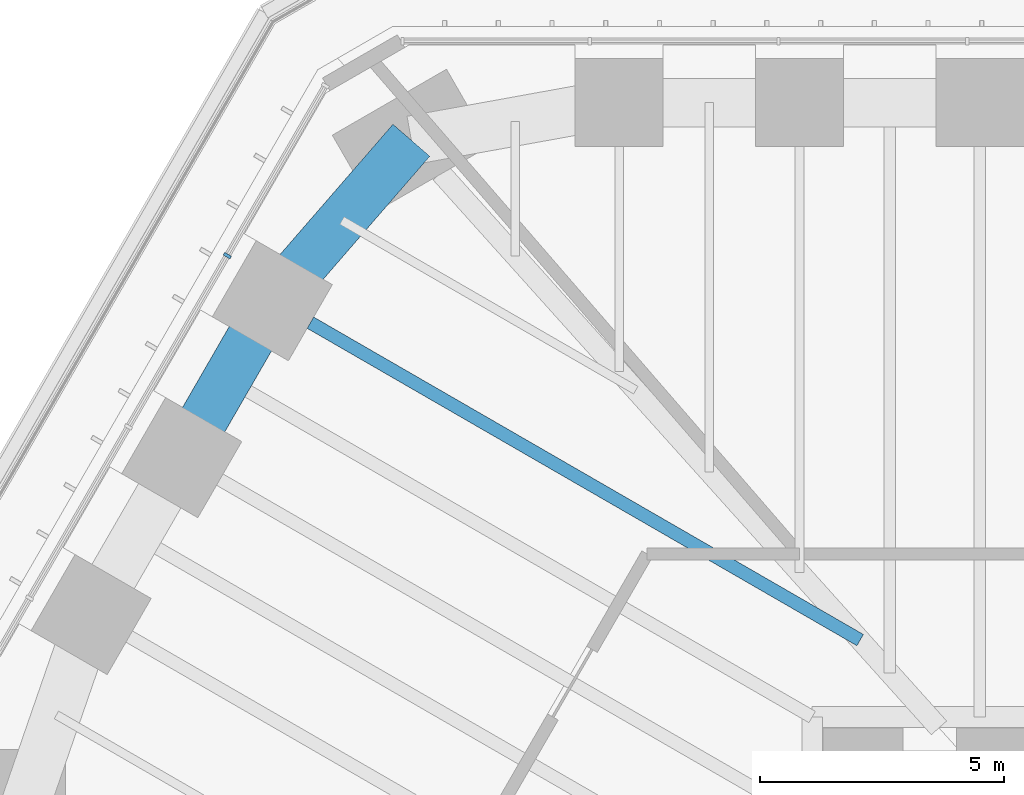
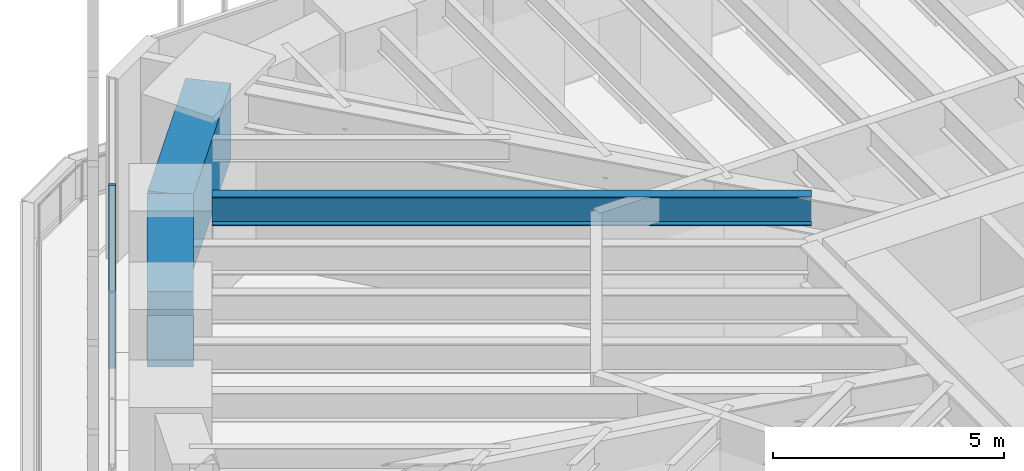
# One storey, part 149 of 228: 3 beams, 1 member, 1 element without a shape of its own.
"""IFC4 building model written with IfcOpenShell, lengths in metres."""

import ifcopenshell
import ifcopenshell.guid

model = None  # the IFC model being written
_history = None  # IfcOwnerHistory: only IFC2X3 demands one
_inside = {}  # id of a spatial element -> (the spatial element, [elements in it])
_under = {}  # id of a project, library or spatial element -> (it, [spatial elements below it])
_declared = {}  # id of a project -> (the project, [libraries it declares])
_typed = {}  # id of a type object -> (the type object, [elements of that type])
_made_of = {}  # id of a material, layer set ... -> (it, [elements and type objects made of it])


def new_model(schema):
    """Start an empty IFC model of exactly this schema.

    Asked for "IFC4X3", IfcOpenShell would pick the latest addendum, in which some entities
    have other attributes; the version numbers below select the first issue.
    IFC2X3 requires an IfcOwnerHistory on every rooted entity: one is made here for all.
    """
    global model, _history
    if schema == "IFC4X3":
        model = ifcopenshell.file(schema_version=(4, 3, 0, 0))
    else:
        model = ifcopenshell.file(schema=schema)
    _inside.clear()
    _under.clear()
    _declared.clear()
    _typed.clear()
    _made_of.clear()
    _history = None
    if model.schema == "IFC2X3":
        org = make("IfcOrganization", Name="unknown")
        user = make(
            "IfcPersonAndOrganization",
            ThePerson=make("IfcPerson", FamilyName="unknown"),
            TheOrganization=org,
        )
        app = make(
            "IfcApplication",
            ApplicationDeveloper=org,
            Version="unknown",
            ApplicationFullName="unknown",
            ApplicationIdentifier="unknown",
        )
        _history = make(
            "IfcOwnerHistory",
            OwningUser=user,
            OwningApplication=app,
            ChangeAction="ADDED",
            CreationDate=0,
        )
    return model


def make(cls, **values):
    """One entity of the class cls with the attributes given. An attribute that is None is left unset."""
    return model.create_entity(
        cls, **{name: value for name, value in values.items() if value is not None}
    )


def rooted(cls, **values):
    """An entity with a GlobalId (a new one), such as an element, a storey or a relation."""
    return make(cls, GlobalId=ifcopenshell.guid.new(), OwnerHistory=_history, **values)


def si_unit(unit_type, name, prefix=None):
    """IfcSIUnit, for example si_unit("LENGTHUNIT", "METRE", prefix="MILLI")."""
    return make("IfcSIUnit", UnitType=unit_type, Prefix=prefix, Name=name)


def assignment(units):
    """IfcUnitAssignment: the units of a project."""
    return None if units is None else make("IfcUnitAssignment", Units=units)


def point(xyz):
    """IfcCartesianPoint."""
    return None if xyz is None else make("IfcCartesianPoint", Coordinates=xyz)


def direction(xyz):
    """IfcDirection."""
    return None if xyz is None else make("IfcDirection", DirectionRatios=xyz)


def frame(location, z_axis=None, x_axis=None):
    """IfcAxis2Placement3D, a coordinate frame: its origin and axes. An axis left out is left unset."""
    return make(
        "IfcAxis2Placement3D",
        Location=point(location),
        Axis=direction(z_axis),
        RefDirection=direction(x_axis),
    )


def frame_2d(location, x_axis=None):
    """IfcAxis2Placement2D, a coordinate frame in the plane: its origin and x axis."""
    return make(
        "IfcAxis2Placement2D", Location=point(location), RefDirection=direction(x_axis)
    )


def origin():
    """The frame at (0, 0, 0) with its axes left unset."""
    return frame((0.0, 0.0, 0.0))


def origin_2d():
    """The frame at (0, 0) in the plane with its x axis left unset."""
    return frame_2d((0.0, 0.0))


def place(relative_to, where):
    """IfcLocalPlacement: puts the frame where relative to a parent placement (None: the world)."""
    return make(
        "IfcLocalPlacement", PlacementRelTo=relative_to, RelativePlacement=where
    )


def context(
    kind, dimensions, precision=None, world=None, true_north=None, identifier=None
):
    """IfcGeometricRepresentationContext, for example the 3D "Model" context."""
    return make(
        "IfcGeometricRepresentationContext",
        ContextIdentifier=identifier,
        ContextType=kind,
        CoordinateSpaceDimension=dimensions,
        Precision=precision,
        WorldCoordinateSystem=world,
        TrueNorth=true_north,
    )


def subcontext(parent, identifier, kind, view, scale=None):
    """IfcGeometricRepresentationSubContext, for example "Body" below "Model"."""
    return make(
        "IfcGeometricRepresentationSubContext",
        ContextIdentifier=identifier,
        ContextType=kind,
        ParentContext=parent,
        TargetScale=scale,
        TargetView=view,
    )


def project(units=None, contexts=None):
    """IfcProject with its units and contexts."""
    return rooted(
        "IfcProject",
        Name="project",
        RepresentationContexts=contexts,
        UnitsInContext=assignment(units),
    )


def spatial(cls, under=None, at=None, **own):
    """A site, building, storey or space (cls), placed at a placement, below another one or the project."""
    s = rooted(cls, ObjectPlacement=at, **own)
    if under is not None:
        _under.setdefault(under.id(), (under, []))[1].append(s)
    return s


def profile(cls, at=None, kind="AREA", **sizes):
    """A parametric profile (cls). Its sizes go by their IFC names, for example OverallWidth=200.0."""
    return make(cls, ProfileType=kind, Position=at, **sizes)


def rectangle(**sizes):
    """IfcRectangleProfileDef."""
    return profile("IfcRectangleProfileDef", **sizes)


def i_section(**sizes):
    """IfcIShapeProfileDef."""
    return profile("IfcIShapeProfileDef", **sizes)


def extrude(swept, where, along, depth):
    """IfcExtrudedAreaSolid: the profile swept, set in the frame where, extruded along a direction by depth."""
    return make(
        "IfcExtrudedAreaSolid",
        SweptArea=swept,
        Position=where,
        ExtrudedDirection=direction(along),
        Depth=depth,
    )


def shape(context_of_items, identifier, shape_type, items):
    """IfcShapeRepresentation: the items that make up one representation, for example the "Body"."""
    return make(
        "IfcShapeRepresentation",
        ContextOfItems=context_of_items,
        RepresentationIdentifier=identifier,
        RepresentationType=shape_type,
        Items=items,
    )


def material(Name=None, Category=None):
    """IfcMaterial."""
    return make("IfcMaterial", Name=Name, Category=Category)


def material_profile(
    of_material, cross_section, Name=None, Category=None, Priority=None
):
    """IfcMaterialProfile: a cross section and its material."""
    return make(
        "IfcMaterialProfile",
        Name=Name,
        Material=of_material,
        Profile=cross_section,
        Priority=Priority,
        Category=Category,
    )


def profile_set(profiles, Name=None, composite=None):
    """IfcMaterialProfileSet."""
    return make(
        "IfcMaterialProfileSet",
        Name=Name,
        MaterialProfiles=profiles,
        CompositeProfile=composite,
    )


def made_of(thing, what):
    """Note that an element or type object is made of a material, layer set ...; save() writes the relation."""
    if what is not None:
        _made_of.setdefault(what.id(), (what, []))[1].append(thing)
    return thing


def type_object(cls, material=None, **own):
    """A type object (cls), such as IfcWallType, which elements share."""
    return made_of(rooted(cls, **own), material)


def element(
    cls,
    number,
    at=None,
    inside=None,
    cuts=None,
    type_object=None,
    material=None,
    context=None,
    identifier="Body",
    shape_type=None,
    held_by="IfcProductDefinitionShape",
    body=None,
    shapes=None,
    **own,
):
    """One element of the class cls, such as IfcWall. Its Tag is "e" and its number.

    at: its placement. inside: the storey or other place that contains it. cuts: it is an
    opening in that element (IfcRelVoidsElement). A single representation is given by context,
    identifier, shape_type and body (its items); several are given by shapes. held_by: the class
    of the entity that holds the representations. save() writes the other relations.
    """
    e = rooted(cls, Tag="e%d" % number, ObjectPlacement=at, **own)
    if body is not None:
        shapes = [shape(context, identifier, shape_type, body)]
    if shapes is not None:
        e.Representation = make(held_by, Representations=shapes)
    if inside is not None:
        _inside.setdefault(inside.id(), (inside, []))[1].append(e)
    if cuts is not None:
        rooted(
            "IfcRelVoidsElement", RelatingBuildingElement=cuts, RelatedOpeningElement=e
        )
    if type_object is not None:
        _typed.setdefault(type_object.id(), (type_object, []))[1].append(e)
    return made_of(e, material)


def aggregate(whole, parts):
    """IfcRelAggregates: a whole, such as a stair, and the parts it consists of."""
    return rooted("IfcRelAggregates", RelatingObject=whole, RelatedObjects=parts)


def save(model, path):
    """Write the relations noted so far, then the file.

    IfcRelAggregates (storeys below a building ...), IfcRelContainedInSpatialStructure (elements
    in a storey), IfcRelDefinesByType, IfcRelAssociatesMaterial and IfcRelDeclares: one each for
    every whole, place, type object, material and project.
    """
    for whole, parts in _under.values():
        aggregate(whole, parts)
    for where, things in _inside.values():
        rooted(
            "IfcRelContainedInSpatialStructure",
            RelatedElements=things,
            RelatingStructure=where,
        )
    for kind, things in _typed.values():
        rooted("IfcRelDefinesByType", RelatedObjects=things, RelatingType=kind)
    for what, things in _made_of.values():
        rooted("IfcRelAssociatesMaterial", RelatedObjects=things, RelatingMaterial=what)
    for by, libraries in _declared.values():
        rooted("IfcRelDeclares", RelatingContext=by, RelatedDefinitions=libraries)
    model.write(path)


model = new_model("IFC4")

# Units and contexts
model_context = context("Model", 3, precision=1e-05, world=origin(), true_north=direction((0.0, 1.0)))
body_context = subcontext(model_context, "Body", "Model", "MODEL_VIEW")
ifc_project = project(units=[si_unit("LENGTHUNIT", "METRE"), si_unit("AREAUNIT", "SQUARE_METRE"), si_unit("VOLUMEUNIT", "CUBIC_METRE"), si_unit("PLANEANGLEUNIT", "RADIAN"), si_unit("MASSUNIT", "GRAM", prefix="KILO")], contexts=[model_context])

# Site, building, storey
site_placement = place(None, origin())
site = spatial("IfcSite", under=ifc_project, at=site_placement, CompositionType="ELEMENT")
building_placement = place(site_placement, origin())
building = spatial("IfcBuilding", under=site, at=building_placement, Name="Sandreach Pilgrim Tower", CompositionType="ELEMENT")
storey_placement = place(building_placement, frame((0.0, 0.0, 178.199951171875)))
storey = spatial("IfcBuildingStorey", under=building, at=storey_placement, Name="L44", CompositionType="ELEMENT", Elevation=178.199951171875)

# Curtain wall, member
ifc_material_1 = material(Name="Aluminium framed curtain wall", Category="aluminium")
curtain_wall_type = type_object("IfcCurtainWallType", Name="Upper hotel tower curtain wall", PredefinedType="NOTDEFINED", material=ifc_material_1)
curtain_wall_placement = place(storey_placement, origin())
curtain_wall = element("IfcCurtainWall", 1, at=curtain_wall_placement, inside=storey, type_object=curtain_wall_type, Name="CW-3 L44 NW", PredefinedType="NOTDEFINED")
ifc_material_2 = material(Name="Aluminium extrusion", Category="aluminium")
ifc_material_profile_1 = material_profile(ifc_material_2, rectangle(XDim=0.06494140625, YDim=0.159912109375, at=origin_2d()), Name="CW-3M 65X160")
ifc_profile_set_1 = profile_set([ifc_material_profile_1], Name="Aluminium extrusion")
member_type = type_object("IfcMemberType", Name="CW-3 mullion", PredefinedType="MULLION", material=ifc_profile_set_1)
member_placement = place(storey_placement, frame((-20.947021484375, 16.768798828125, 0.0), z_axis=(0.0, 0.0, 1.0), x_axis=(0.5, 0.866025403784, 0.0)))
member = element("IfcMember", 2, at=member_placement, type_object=member_type, Name="CW-3 mullion 4", PredefinedType="MULLION", context=body_context, shape_type="SweptSolid", body=[
    extrude(rectangle(XDim=0.06494140625, YDim=0.159912109375, at=origin_2d()), origin(), (0.0, 0.0, 1.0), 4.840087890625),
])
aggregate(curtain_wall, [member])

# Beams
ifc_material_3 = material(Name="Steel ASTM A992 Grade 50", Category="steel")
ifc_material_profile_2 = material_profile(ifc_material_3, i_section(OverallWidth=0.2666015625, OverallDepth=0.761962890625, WebThickness=0.014404296875, FlangeThickness=0.021484375, at=origin_2d()), Name="W30X116")
ifc_profile_set_2 = profile_set([ifc_material_profile_2], Name="Steel ASTM A992 Grade 50")
beam_type_1 = type_object("IfcBeamType", Name="Floor beam W30X116", PredefinedType="BEAM", material=ifc_profile_set_2)
beam_1_placement = place(storey_placement, frame((-19.24560546875, 15.395751953125, 4.458984375), z_axis=(0.866029195513, -0.499993432475, 0.0), x_axis=(0.499993432475, 0.866029195513, 0.0)))
element("IfcBeam", 3, at=beam_1_placement, inside=storey, type_object=beam_type_1, Name="BM L44 F38", PredefinedType="BEAM", context=body_context, shape_type="SweptSolid", body=[
    extrude(i_section(OverallWidth=0.2666015625, OverallDepth=0.761962890625, WebThickness=0.014404296875, FlangeThickness=0.021484375, at=origin_2d()), origin(), (0.0, 0.0, 1.0), 12.998291015625),
])
ifc_material_4 = material(Name="Concrete 10000 psi", Category="concrete")
ifc_material_profile_3 = material_profile(ifc_material_4, rectangle(XDim=1.0, YDim=2.0, at=origin_2d()), Name="RC1000X2000")
ifc_profile_set_3 = profile_set([ifc_material_profile_3], Name="Concrete 10000 psi")
beam_type_2 = type_object("IfcBeamType", Name="Spandrel beam RC1000X2000", PredefinedType="SPANDREL", material=ifc_profile_set_3)
beam_2_placement = place(storey_placement, frame((-21.88037109375, 12.632568359375, 3.840087890625), z_axis=(0.499995842751, 0.86602780396, 0.0), x_axis=(-0.86602780396, 0.499995842751, 0.0)))
element("IfcBeam", 4, at=beam_2_placement, inside=storey, type_object=beam_type_2, Name="BM L44 SP37", PredefinedType="SPANDREL", context=body_context, shape_type="SweptSolid", body=[
    extrude(rectangle(XDim=1.0, YDim=2.0, at=origin_2d()), origin(), (0.0, 0.0, 1.0), 3.71044921875),
])
beam_3_placement = place(storey_placement, frame((-20.025146484375, 15.845947265625, 3.840087890625), z_axis=(0.65499040715, 0.755637192402, 0.0), x_axis=(-0.755637192402, 0.65499040715, 0.0)))
element("IfcBeam", 5, at=beam_3_placement, inside=storey, type_object=beam_type_2, Name="BM L44 SP38", PredefinedType="SPANDREL", context=body_context, shape_type="SweptSolid", body=[
    extrude(rectangle(XDim=1.0, YDim=2.0, at=origin_2d()), origin(), (0.0, 0.0, 1.0), 4.346923828125),
])

save(model, "model.ifc")
